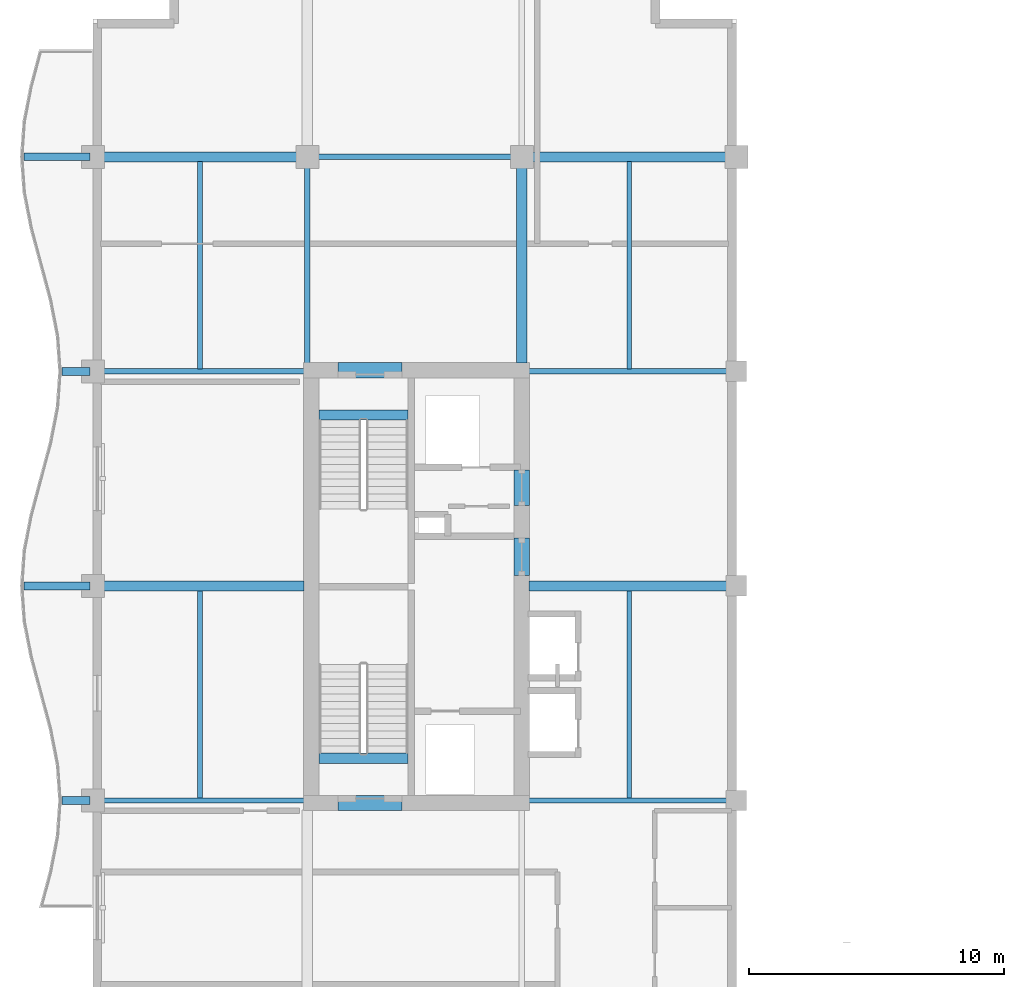
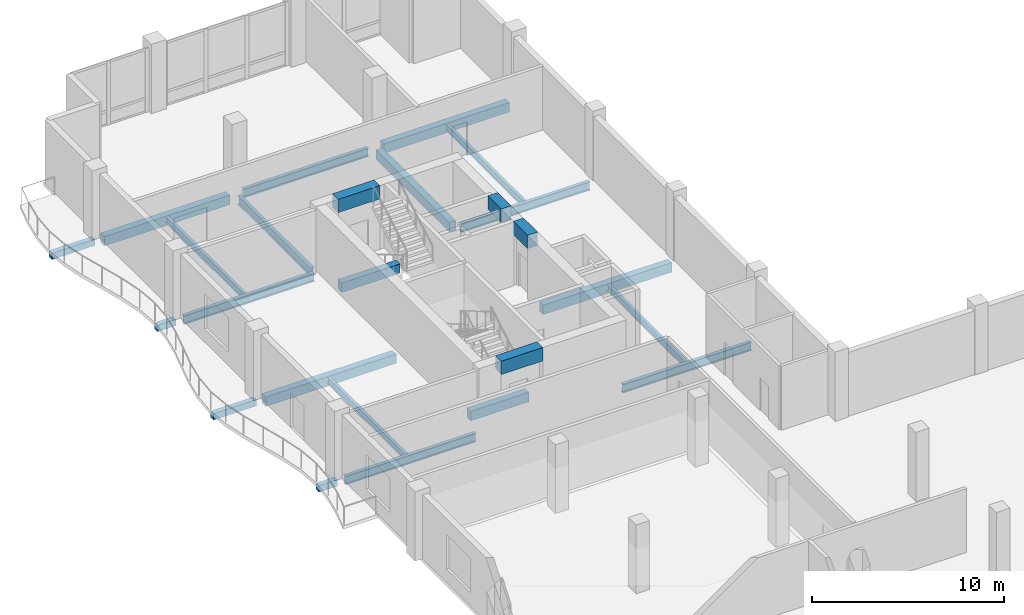
# One storey, part 5 of 15: 25 beams.
"""IFC4 building model written with IfcOpenShell, lengths in metres."""

from ifc_helpers import new_model, si_unit, direction, frame, origin, origin_2d, place, context, subcontext, project, spatial, rectangle, i_section, extrude, material, material_profile, profile_set, type_object, element, save


model = new_model("IFC4")

# Units and contexts
model_context = context("Model", 3, precision=1e-05, world=origin(), true_north=direction((0.0, 1.0)))
body_context = subcontext(model_context, "Body", "Model", "MODEL_VIEW")
ifc_project = project(units=[si_unit("LENGTHUNIT", "METRE"), si_unit("AREAUNIT", "SQUARE_METRE"), si_unit("VOLUMEUNIT", "CUBIC_METRE"), si_unit("PLANEANGLEUNIT", "RADIAN"), si_unit("MASSUNIT", "GRAM", prefix="KILO")], contexts=[model_context])

# Site, building, storey
site_placement = place(None, origin())
site = spatial("IfcSite", under=ifc_project, at=site_placement, CompositionType="ELEMENT")
building_placement = place(site_placement, origin())
building = spatial("IfcBuilding", under=site, at=building_placement, Name="Koriwani Terraces Tower", CompositionType="ELEMENT")
storey_placement = place(building_placement, frame((0.0, 0.0, 290.39990234375)))
storey = spatial("IfcBuildingStorey", under=building, at=storey_placement, Name="L72", CompositionType="ELEMENT", Elevation=290.39990234375)

# Beams
ifc_material_1 = material(Name="Concrete C40/50", Category="concrete")
ifc_material_profile_1 = material_profile(ifc_material_1, rectangle(XDim=0.300048828125, YDim=0.39990234375, at=origin_2d()), Name="Concrete C40/50", Category="LoadBearing")
ifc_profile_set_1 = profile_set([ifc_material_profile_1], Name="Concrete C40/50")
beam_type_1 = type_object("IfcBeamType", Name="BEAM_RC_BALCONY_RIB_300X400", PredefinedType="JOIST", material=ifc_profile_set_1)
beam_1_placement = place(storey_placement, frame((7.199951171875, 42.0, -0.429931640625), z_axis=(1.0, 0.0, 0.0), x_axis=(0.0, 1.0, 0.0)))
element("IfcBeam", 1, at=beam_1_placement, inside=storey, type_object=beam_type_1, Name="L72 Balcony Bracket Rib W-1", PredefinedType="JOIST", context=body_context, shape_type="SweptSolid", body=[
    extrude(rectangle(XDim=0.300048828125, YDim=0.39990234375, at=origin_2d()), origin(), (0.0, 0.0, 1.0), 1.10009765625),
])
beam_2_placement = place(storey_placement, frame((5.699951171875, 50.39990234375, -0.429931640625), z_axis=(1.0, 0.0, 0.0), x_axis=(0.0, 1.0, 0.0)))
element("IfcBeam", 2, at=beam_2_placement, inside=storey, type_object=beam_type_1, Name="L72 Balcony Bracket Rib W-2", PredefinedType="JOIST", context=body_context, shape_type="SweptSolid", body=[
    extrude(rectangle(XDim=0.300048828125, YDim=0.39990234375, at=origin_2d()), origin(), (0.0, 0.0, 1.0), 2.60009765625),
])
beam_3_placement = place(storey_placement, frame((7.199951171875, 58.800048828125, -0.429931640625), z_axis=(1.0, 0.0, 0.0), x_axis=(0.0, 1.0, 0.0)))
element("IfcBeam", 3, at=beam_3_placement, inside=storey, type_object=beam_type_1, Name="L72 Balcony Bracket Rib W-3", PredefinedType="JOIST", context=body_context, shape_type="SweptSolid", body=[
    extrude(rectangle(XDim=0.300048828125, YDim=0.39990234375, at=origin_2d()), origin(), (0.0, 0.0, 1.0), 1.10009765625),
])
beam_4_placement = place(storey_placement, frame((5.699951171875, 67.199951171875, -0.429931640625), z_axis=(1.0, 0.0, 0.0), x_axis=(0.0, 1.0, 0.0)))
element("IfcBeam", 4, at=beam_4_placement, inside=storey, type_object=beam_type_1, Name="L72 Balcony Bracket Rib W-4", PredefinedType="JOIST", context=body_context, shape_type="SweptSolid", body=[
    extrude(rectangle(XDim=0.300048828125, YDim=0.39990234375, at=origin_2d()), origin(), (0.0, 0.0, 1.0), 2.60009765625),
])
ifc_material_2 = material(Name="Concrete C50/60", Category="concrete")
ifc_material_profile_2 = material_profile(ifc_material_2, rectangle(XDim=0.60009765625, YDim=0.85009765625, at=origin_2d()), Name="Concrete C50/60", Category="LoadBearing")
ifc_profile_set_2 = profile_set([ifc_material_profile_2], Name="Concrete C50/60")
beam_type_2 = type_object("IfcBeamType", Name="BEAM_RC_COUPLING_600X850", PredefinedType="LINTEL", material=ifc_profile_set_2)
beam_5_placement = place(storey_placement, frame((25.199951171875, 50.800048828125, 3.625), z_axis=(0.0, 1.0, 0.0), x_axis=(-1.0, 0.0, 0.0)))
element("IfcBeam", 5, at=beam_5_placement, inside=storey, type_object=beam_type_2, Name="L72 Core Coupling Lintel Beam WE1", PredefinedType="LINTEL", context=body_context, shape_type="SweptSolid", body=[
    extrude(rectangle(XDim=0.60009765625, YDim=0.85009765625, at=origin_2d()), origin(), (0.0, 0.0, 1.0), 1.47998046875),
])
beam_6_placement = place(storey_placement, frame((25.199951171875, 53.550048828125, 3.625), z_axis=(0.0, 1.0, 0.0), x_axis=(-1.0, 0.0, 0.0)))
element("IfcBeam", 6, at=beam_6_placement, inside=storey, type_object=beam_type_2, Name="L72 Core Coupling Lintel Beam WE2", PredefinedType="LINTEL", context=body_context, shape_type="SweptSolid", body=[
    extrude(rectangle(XDim=0.60009765625, YDim=0.85009765625, at=origin_2d()), origin(), (0.0, 0.0, 1.0), 1.39990234375),
])
for number, where, z_axis, x_axis, name in (
    (7, (18.0, 41.89990234375, 3.625), (1.0, 0.0, 0.0), (0.0, 1.0, 0.0), "L72 Core Coupling Lintel Beam WS"),
    (8, (18.0, 58.85009765625, 3.625), (1.0, 0.0, 0.0), (0.0, 1.0, 0.0), "L72 Core Coupling Lintel Beam WN"),
):
    element("IfcBeam", number, at=place(storey_placement, frame(where, z_axis=z_axis, x_axis=x_axis)), inside=storey, type_object=beam_type_2, Name=name, PredefinedType="LINTEL", context=body_context, shape_type="SweptSolid", body=[
        extrude(rectangle(XDim=0.60009765625, YDim=0.85009765625, at=origin_2d()), origin(), (0.0, 0.0, 1.0), 2.5),
    ])
ifc_material_profile_3 = material_profile(ifc_material_1, rectangle(XDim=0.39990234375, YDim=0.60009765625, at=origin_2d()), Name="Concrete C40/50", Category="LoadBearing")
ifc_profile_set_3 = profile_set([ifc_material_profile_3], Name="Concrete C40/50")
beam_type_3 = type_object("IfcBeamType", Name="BEAM_RC_GRID_400X600", PredefinedType="BEAM", material=ifc_profile_set_3)
for number, where, z_axis, x_axis, name in (
    (9, (17.25, 43.655029296875, -0.2998046875), (1.0, 0.0, 0.0), (0.0, 1.0, 0.0), "L72 Stairwell Header Trimmer Beam ST-W1"),
    (10, (17.25, 57.094970703125, -0.2998046875), (1.0, 0.0, 0.0), (0.0, 1.0, 0.0), "L72 Stairwell Header Trimmer Beam ST-W2"),
):
    element("IfcBeam", number, at=place(storey_placement, frame(where, z_axis=z_axis, x_axis=x_axis)), inside=storey, type_object=beam_type_3, Name=name, PredefinedType="BEAM", context=body_context, shape_type="SweptSolid", body=[
        extrude(rectangle(XDim=0.39990234375, YDim=0.60009765625, at=origin_2d()), origin(), (0.0, 0.0, 1.0), 3.5),
    ])
beam_7_placement = place(storey_placement, frame((8.830078125, 50.39990234375, -0.52978515625), z_axis=(1.0, 0.0, 0.0), x_axis=(0.0, 1.0, 0.0)))
element("IfcBeam", 11, at=beam_7_placement, inside=storey, type_object=beam_type_3, Name="L72 Grid Beam G (8.4-16.8m)", PredefinedType="BEAM", context=body_context, shape_type="SweptSolid", body=[
    extrude(rectangle(XDim=0.39990234375, YDim=0.60009765625, at=origin_2d()), origin(), (0.0, 0.0, 1.0), 7.83984375),
])
beam_8_placement = place(storey_placement, frame((25.47998046875, 50.39990234375, -0.52978515625), z_axis=(1.0, 0.0, 0.0), x_axis=(0.0, 1.0, 0.0)))
element("IfcBeam", 12, at=beam_8_placement, inside=storey, type_object=beam_type_3, Name="L72 Grid Beam G (25.2-33.6m)", PredefinedType="BEAM", context=body_context, shape_type="SweptSolid", body=[
    extrude(rectangle(XDim=0.39990234375, YDim=0.60009765625, at=origin_2d()), origin(), (0.0, 0.0, 1.0), 7.739990234375),
])
for number, where, z_axis, x_axis, name in (
    (13, (8.830078125, 67.199951171875, -0.52978515625), (1.0, 0.0, 0.0), (0.0, 1.0, 0.0), "L72 Grid Beam I (8.4-16.8m)"),
    (14, (25.6298828125, 67.199951171875, -0.52978515625), (1.0, 0.0, 0.0), (0.0, 1.0, 0.0), "L72 Grid Beam I (25.2-33.6m)"),
):
    element("IfcBeam", number, at=place(storey_placement, frame(where, z_axis=z_axis, x_axis=x_axis)), inside=storey, type_object=beam_type_3, Name=name, PredefinedType="BEAM", context=body_context, shape_type="SweptSolid", body=[
        extrude(rectangle(XDim=0.39990234375, YDim=0.60009765625, at=origin_2d()), origin(), (0.0, 0.0, 1.0), 7.5400390625),
    ])
beam_9_placement = place(storey_placement, frame((25.199951171875, 59.1298828125, -0.52978515625), z_axis=(0.0, 1.0, 0.0), x_axis=(-1.0, 0.0, 0.0)))
element("IfcBeam", 15, at=beam_9_placement, inside=storey, type_object=beam_type_3, Name="L72 Grid Beam 4 (58.8-67.2m)", PredefinedType="BEAM", context=body_context, shape_type="SweptSolid", body=[
    extrude(rectangle(XDim=0.39990234375, YDim=0.60009765625, at=origin_2d()), origin(), (0.0, 0.0, 1.0), 7.64013671875),
])
ifc_material_3 = material(Name="Steel ASTM A572 Grade 50", Category="steel")
ifc_material_profile_4 = material_profile(ifc_material_3, i_section(OverallWidth=0.180908203125, OverallDepth=0.4169921875, WebThickness=0.010986328125, FlangeThickness=0.018310546875, at=origin_2d()), Name="Steel ASTM A572 Grade 50", Category="LoadBearing")
ifc_profile_set_4 = profile_set([ifc_material_profile_4], Name="Steel ASTM A572 Grade 50")
beam_type_4 = type_object("IfcBeamType", Name="STEEL_BEAM_W410X85", PredefinedType="JOIST", material=ifc_profile_set_4)
for number, where, z_axis, x_axis, name in (
    (16, (12.60009765625, 42.095947265625, -0.4384765625), (0.0, 1.0, 0.0), (-1.0, 0.0, 0.0), "L72 Secondary Steel Floor Joist X=12.6m"),
    (17, (12.60009765625, 58.89599609375, -0.4384765625), (0.0, 1.0, 0.0), (-1.0, 0.0, 0.0), "L72 Secondary Steel Floor Joist X=12.6m"),
    (18, (29.39990234375, 42.095947265625, -0.4384765625), (0.0, 1.0, 0.0), (-1.0, 0.0, 0.0), "L72 Secondary Steel Floor Joist X=29.4m"),
    (19, (29.39990234375, 58.89599609375, -0.4384765625), (0.0, 1.0, 0.0), (-1.0, 0.0, 0.0), "L72 Secondary Steel Floor Joist X=29.4m"),
):
    element("IfcBeam", number, at=place(storey_placement, frame(where, z_axis=z_axis, x_axis=x_axis)), inside=storey, type_object=beam_type_4, Name=name, PredefinedType="JOIST", context=body_context, shape_type="SweptSolid", body=[
        extrude(i_section(OverallWidth=0.180908203125, OverallDepth=0.4169921875, WebThickness=0.010986328125, FlangeThickness=0.018310546875, at=origin_2d()), origin(), (0.0, 0.0, 1.0), 8.114013671875),
    ])
ifc_material_profile_5 = material_profile(ifc_material_3, i_section(OverallWidth=0.2119140625, OverallDepth=0.54296875, WebThickness=0.0126953125, FlangeThickness=0.021240234375, at=origin_2d()), Name="Steel ASTM A572 Grade 50", Category="LoadBearing")
ifc_profile_set_5 = profile_set([ifc_material_profile_5], Name="Steel ASTM A572 Grade 50")
beam_type_5 = type_object("IfcBeamType", Name="STEEL_BEAM_W530X150", PredefinedType="BEAM", material=ifc_profile_set_5)
beam_10_placement = place(storey_placement, frame((8.830078125, 42.0, -0.50146484375), z_axis=(1.0, 0.0, 0.0), x_axis=(0.0, 1.0, 0.0)))
element("IfcBeam", 20, at=beam_10_placement, inside=storey, type_object=beam_type_5, Name="L72 Grid Beam F (8.4-16.8m)", PredefinedType="BEAM", context=body_context, shape_type="SweptSolid", body=[
    extrude(i_section(OverallWidth=0.2119140625, OverallDepth=0.54296875, WebThickness=0.0126953125, FlangeThickness=0.021240234375, at=origin_2d()), origin(), (0.0, 0.0, 1.0), 7.83984375),
])
beam_11_placement = place(storey_placement, frame((25.47998046875, 42.0, -0.50146484375), z_axis=(1.0, 0.0, 0.0), x_axis=(0.0, 1.0, 0.0)))
element("IfcBeam", 21, at=beam_11_placement, inside=storey, type_object=beam_type_5, Name="L72 Grid Beam F (25.2-33.6m)", PredefinedType="BEAM", context=body_context, shape_type="SweptSolid", body=[
    extrude(i_section(OverallWidth=0.2119140625, OverallDepth=0.54296875, WebThickness=0.0126953125, FlangeThickness=0.021240234375, at=origin_2d()), origin(), (0.0, 0.0, 1.0), 7.739990234375),
])
beam_12_placement = place(storey_placement, frame((8.830078125, 58.800048828125, -0.50146484375), z_axis=(1.0, 0.0, 0.0), x_axis=(0.0, 1.0, 0.0)))
element("IfcBeam", 22, at=beam_12_placement, inside=storey, type_object=beam_type_5, Name="L72 Grid Beam H (8.4-16.8m)", PredefinedType="BEAM", context=body_context, shape_type="SweptSolid", body=[
    extrude(i_section(OverallWidth=0.2119140625, OverallDepth=0.54296875, WebThickness=0.0126953125, FlangeThickness=0.021240234375, at=origin_2d()), origin(), (0.0, 0.0, 1.0), 7.83984375),
])
beam_13_placement = place(storey_placement, frame((25.47998046875, 58.800048828125, -0.50146484375), z_axis=(1.0, 0.0, 0.0), x_axis=(0.0, 1.0, 0.0)))
element("IfcBeam", 23, at=beam_13_placement, inside=storey, type_object=beam_type_5, Name="L72 Grid Beam H (25.2-33.6m)", PredefinedType="BEAM", context=body_context, shape_type="SweptSolid", body=[
    extrude(i_section(OverallWidth=0.2119140625, OverallDepth=0.54296875, WebThickness=0.0126953125, FlangeThickness=0.021240234375, at=origin_2d()), origin(), (0.0, 0.0, 1.0), 7.739990234375),
])
beam_14_placement = place(storey_placement, frame((17.22998046875, 67.199951171875, -0.50146484375), z_axis=(1.0, 0.0, 0.0), x_axis=(0.0, 1.0, 0.0)))
element("IfcBeam", 24, at=beam_14_placement, inside=storey, type_object=beam_type_5, Name="L72 Grid Beam I (16.8-25.2m)", PredefinedType="BEAM", context=body_context, shape_type="SweptSolid", body=[
    extrude(i_section(OverallWidth=0.2119140625, OverallDepth=0.54296875, WebThickness=0.0126953125, FlangeThickness=0.021240234375, at=origin_2d()), origin(), (0.0, 0.0, 1.0), 7.5400390625),
])
beam_15_placement = place(storey_placement, frame((16.800048828125, 59.1298828125, -0.50146484375), z_axis=(0.0, 1.0, 0.0), x_axis=(-1.0, 0.0, 0.0)))
element("IfcBeam", 25, at=beam_15_placement, inside=storey, type_object=beam_type_5, Name="L72 Grid Beam 3 (58.8-67.2m)", PredefinedType="BEAM", context=body_context, shape_type="SweptSolid", body=[
    extrude(i_section(OverallWidth=0.2119140625, OverallDepth=0.54296875, WebThickness=0.0126953125, FlangeThickness=0.021240234375, at=origin_2d()), origin(), (0.0, 0.0, 1.0), 7.64013671875),
])

save(model, "model.ifc")
